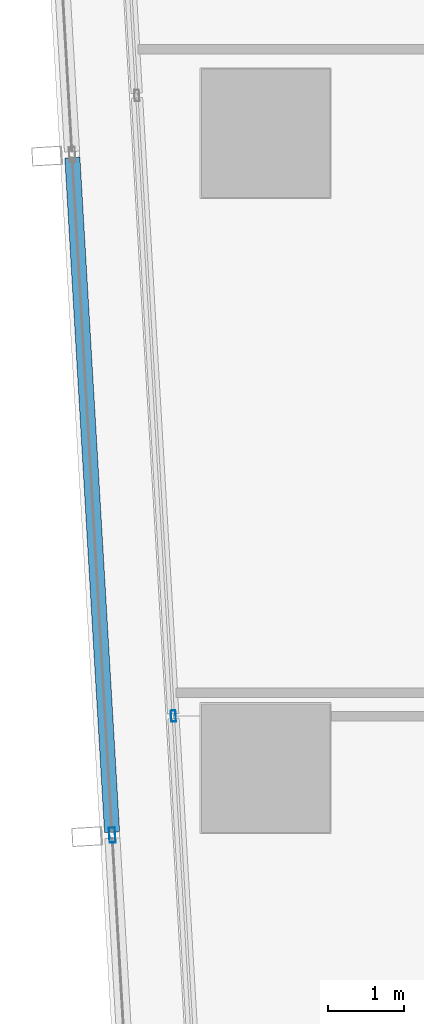
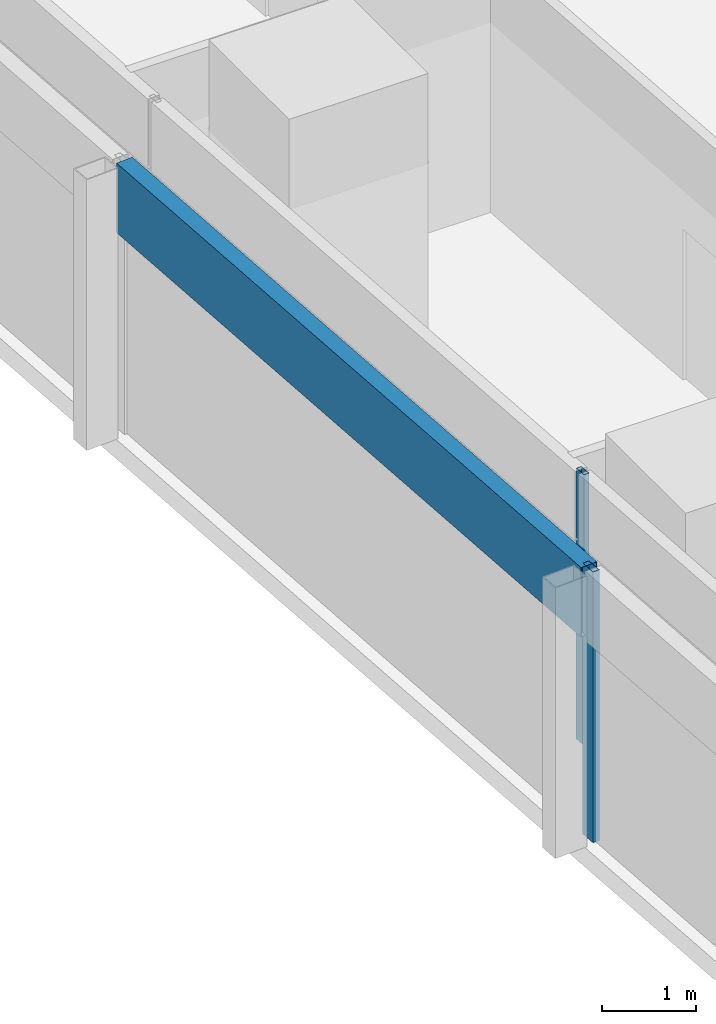
# One storey, part 5 of 39: 3 members, 2 elements without a shape of their own.
"""IFC4 building model written with IfcOpenShell, lengths in metres."""

from ifc_helpers import new_model, si_unit, direction, frame, origin, origin_2d, place, context, subcontext, project, spatial, hollow_rectangle, extrude, material, material_profile, profile_set, type_object, element, aggregate, save


model = new_model("IFC4")

# Units and contexts
model_context = context("Model", 3, precision=1e-05, world=origin(), true_north=direction((0.0, 1.0)))
body_context = subcontext(model_context, "Body", "Model", "MODEL_VIEW")
ifc_project = project(units=[si_unit("LENGTHUNIT", "METRE"), si_unit("AREAUNIT", "SQUARE_METRE"), si_unit("VOLUMEUNIT", "CUBIC_METRE"), si_unit("PLANEANGLEUNIT", "RADIAN"), si_unit("MASSUNIT", "GRAM", prefix="KILO")], contexts=[model_context])

# Site, building, storey
site_placement = place(None, origin())
site = spatial("IfcSite", under=ifc_project, at=site_placement, CompositionType="ELEMENT")
building_placement = place(site_placement, origin())
building = spatial("IfcBuilding", under=site, at=building_placement, Name="Rekha Terrace Tower", CompositionType="ELEMENT")
storey_placement = place(building_placement, frame((0.0, 0.0, 183.949951171875)))
storey = spatial("IfcBuildingStorey", under=building, at=storey_placement, Name="L46", CompositionType="ELEMENT", Elevation=183.949951171875)

# Curtain wall, member
ifc_material_1 = material(Name="Aluminium framing", Category="aluminium")
curtain_wall_type_1 = type_object("IfcCurtainWallType", Name="CW1 double skin inner glazing", PredefinedType="USERDEFINED", material=ifc_material_1)
curtain_wall_1_placement = place(storey_placement, origin())
curtain_wall_1 = element("IfcCurtainWall", 1, at=curtain_wall_1_placement, inside=storey, type_object=curtain_wall_type_1, Name="CW1 double skin inner glazing", ObjectType="DOUBLE SKIN INNER GLAZING", PredefinedType="USERDEFINED")
ifc_material_2 = material(Name="Aluminium mullion section", Category="aluminium")
ifc_material_profile_1 = material_profile(ifc_material_2, hollow_rectangle(XDim=0.06494140625, YDim=0.14990234375, WallThickness=0.00390625, at=origin_2d()), Name="AL RHS 65x150")
ifc_profile_set_1 = profile_set([ifc_material_profile_1], Name="Aluminium mullion section")
member_type_1 = type_object("IfcMemberType", Name="CW1 mullion RHS 65 x 150", PredefinedType="MULLION", material=ifc_profile_set_1)
member_1_placement = place(storey_placement, frame((7.1796875, 25.888427734375, 0.0), z_axis=(0.0, 0.0, 1.0), x_axis=(0.998271839267, 0.058765082551, 0.0)))
member_1 = element("IfcMember", 2, at=member_1_placement, type_object=member_type_1, Name="CW1 mullion 3", PredefinedType="MULLION", context=body_context, shape_type="SweptSolid", body=[
    extrude(hollow_rectangle(XDim=0.06494140625, YDim=0.14990234375, WallThickness=0.00390625, at=origin_2d()), origin(), (0.0, 0.0, 1.0), 3.5),
])
aggregate(curtain_wall_1, [member_1])

# Curtain wall, members
curtain_wall_type_2 = type_object("IfcCurtainWallType", Name="CW2 double skin outer glazing", PredefinedType="USERDEFINED", material=ifc_material_1)
curtain_wall_2_placement = place(storey_placement, origin())
curtain_wall_2 = element("IfcCurtainWall", 3, at=curtain_wall_2_placement, inside=storey, type_object=curtain_wall_type_2, Name="CW2 double skin outer glazing", ObjectType="DOUBLE SKIN OUTER GLAZING", PredefinedType="USERDEFINED")
ifc_material_profile_2 = material_profile(ifc_material_2, hollow_rectangle(XDim=0.080078125, YDim=0.199951171875, WallThickness=0.00390625, at=origin_2d()), Name="AL RHS 80x200")
ifc_profile_set_2 = profile_set([ifc_material_profile_2], Name="Aluminium mullion section")
member_type_2 = type_object("IfcMemberType", Name="CW2 mullion RHS 80 x 200", PredefinedType="MULLION", material=ifc_profile_set_2)
member_2_placement = place(storey_placement, frame((6.370849609375, 24.31201171875, 0.0), z_axis=(0.0, 0.0, 1.0), x_axis=(0.99827183927, 0.058765082499, 0.0)))
member_2 = element("IfcMember", 4, at=member_2_placement, type_object=member_type_2, Name="CW2 mullion 3", PredefinedType="MULLION", context=body_context, shape_type="SweptSolid", body=[
    extrude(hollow_rectangle(XDim=0.080078125, YDim=0.199951171875, WallThickness=0.00390625, at=origin_2d()), origin(), (0.0, 0.0, 1.0), 3.5),
])
ifc_material_3 = material(Name="Insulated aluminium spandrel box", Category="aluminium")
ifc_material_profile_3 = material_profile(ifc_material_3, hollow_rectangle(XDim=0.199951171875, YDim=0.89990234375, WallThickness=0.0029296875, at=origin_2d()), Name="AL SPANDREL BOX 200x900")
ifc_profile_set_3 = profile_set([ifc_material_profile_3], Name="Insulated aluminium spandrel box")
member_type_3 = type_object("IfcMemberType", Name="CW2 spandrel transom 200 x 900", PredefinedType="USERDEFINED", material=ifc_profile_set_3)
member_3_placement = place(storey_placement, frame((5.843017578125, 33.27978515625, 3.050048828125), z_axis=(0.058773229711, -0.998271359636, 0.0), x_axis=(0.998271359636, 0.058773229711, 0.0)))
member_3 = element("IfcMember", 5, at=member_3_placement, type_object=member_type_3, Name="CW2 spandrel transom 2", ObjectType="TRANSOM", PredefinedType="USERDEFINED", context=body_context, shape_type="SweptSolid", body=[
    extrude(hollow_rectangle(XDim=0.199951171875, YDim=0.89990234375, WallThickness=0.0029296875, at=origin_2d()), origin(), (0.0, 0.0, 1.0), 8.943359375),
])
aggregate(curtain_wall_2, [member_2, member_3])

save(model, "model.ifc")
